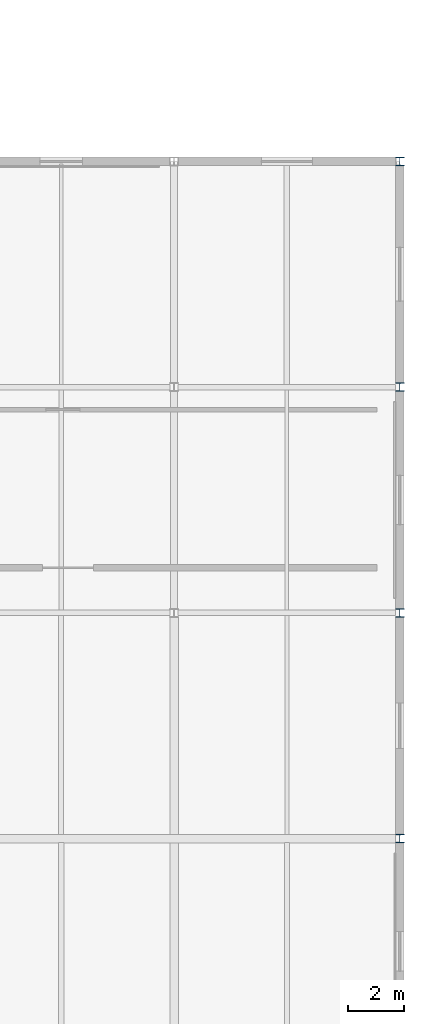
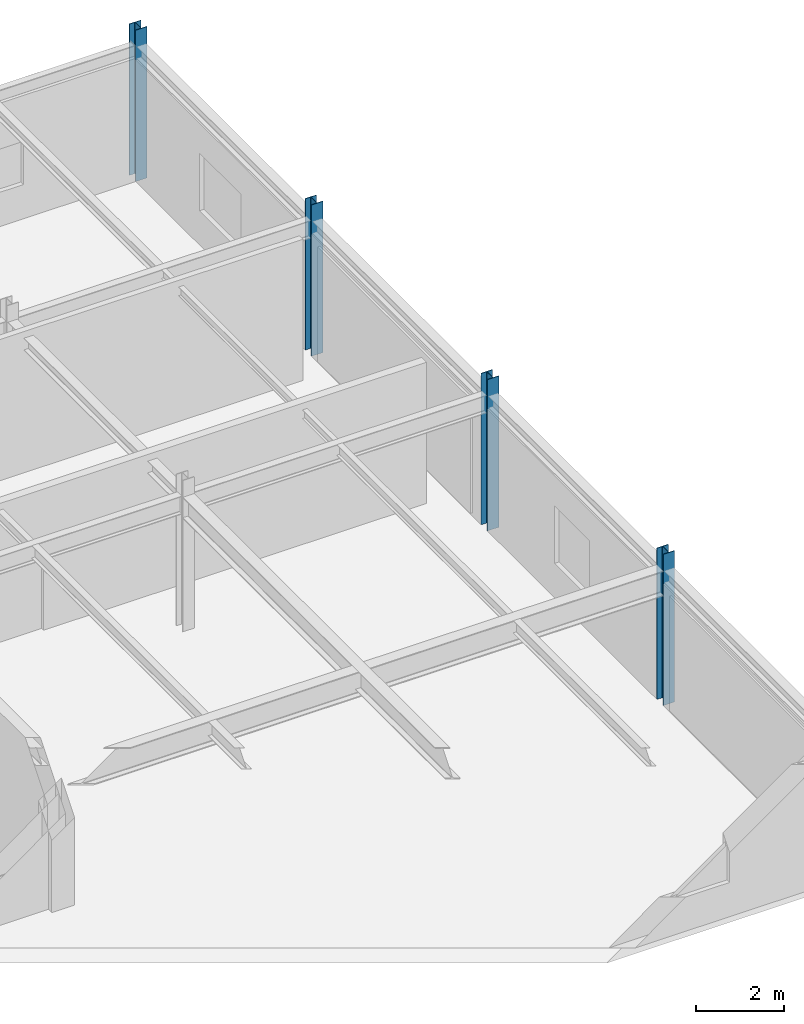
# One storey, part 12 of 88: 4 columns.
"""IFC4 building model written with IfcOpenShell, lengths in metres."""

from ifc_helpers import new_model, si_unit, direction, frame, origin, origin_2d, place, context, subcontext, project, spatial, i_section, extrude, material, material_profile, profile_set, type_object, element, save


model = new_model("IFC4")

# Units and contexts
model_context = context("Model", 3, precision=1e-05, world=origin(), true_north=direction((0.0, 1.0)))
body_context = subcontext(model_context, "Body", "Model", "MODEL_VIEW")
ifc_project = project(units=[si_unit("LENGTHUNIT", "METRE"), si_unit("AREAUNIT", "SQUARE_METRE"), si_unit("VOLUMEUNIT", "CUBIC_METRE"), si_unit("PLANEANGLEUNIT", "RADIAN"), si_unit("MASSUNIT", "GRAM", prefix="KILO")], contexts=[model_context])

# Site, building, storey
site_placement = place(None, origin())
site = spatial("IfcSite", under=ifc_project, at=site_placement, CompositionType="ELEMENT")
building_placement = place(site_placement, origin())
building = spatial("IfcBuilding", under=site, at=building_placement, Name="Zhaolan Boulevard Law Courts", CompositionType="ELEMENT")
storey_placement = place(building_placement, frame((0.0, 0.0, 16.199951171875)))
storey = spatial("IfcBuildingStorey", under=building, at=storey_placement, Name="L03", CompositionType="ELEMENT", Elevation=16.199951171875)

# Columns
ifc_material = material(Name="Structural steel Q355B", Category="steel")
ifc_material_profile = material_profile(ifc_material, i_section(OverallWidth=0.300048828125, OverallDepth=0.300048828125, WebThickness=0.010009765625, FlangeThickness=0.014892578125, FilletRadius=0.01806640625, at=origin_2d()), Name="HW300x300")
ifc_profile_set = profile_set([ifc_material_profile], Name="Structural steel Q355B")
column_type = type_object("IfcColumnType", Name="COL HW300", PredefinedType="COLUMN", material=ifc_profile_set)
for number, where, z_axis, x_axis, name in (
    (1, (164.0, 70.0, 0.0), (0.0, 0.0, 1.0), (1.0, 0.0, 0.0), "Column C-21K (L03)"),
    (2, (164.0, 78.0, 0.0), (0.0, 0.0, 1.0), (1.0, 0.0, 0.0), "Column C-21L (L03)"),
    (3, (164.0, 86.0, 0.0), (0.0, 0.0, 1.0), (1.0, 0.0, 0.0), "Column C-21M (L03)"),
    (4, (164.0, 94.0, 0.0), (0.0, 0.0, 1.0), (1.0, 0.0, 0.0), "Column C-21N (L03)"),
):
    element("IfcColumn", number, at=place(storey_placement, frame(where, z_axis=z_axis, x_axis=x_axis)), inside=storey, type_object=column_type, Name=name, PredefinedType="COLUMN", context=body_context, shape_type="SweptSolid", body=[
        extrude(i_section(OverallWidth=0.300048828125, OverallDepth=0.300048828125, WebThickness=0.010009765625, FlangeThickness=0.014892578125, FilletRadius=0.01806640625, at=origin_2d()), origin(), (0.0, 0.0, 1.0), 4.199951171875),
    ])

save(model, "model.ifc")
